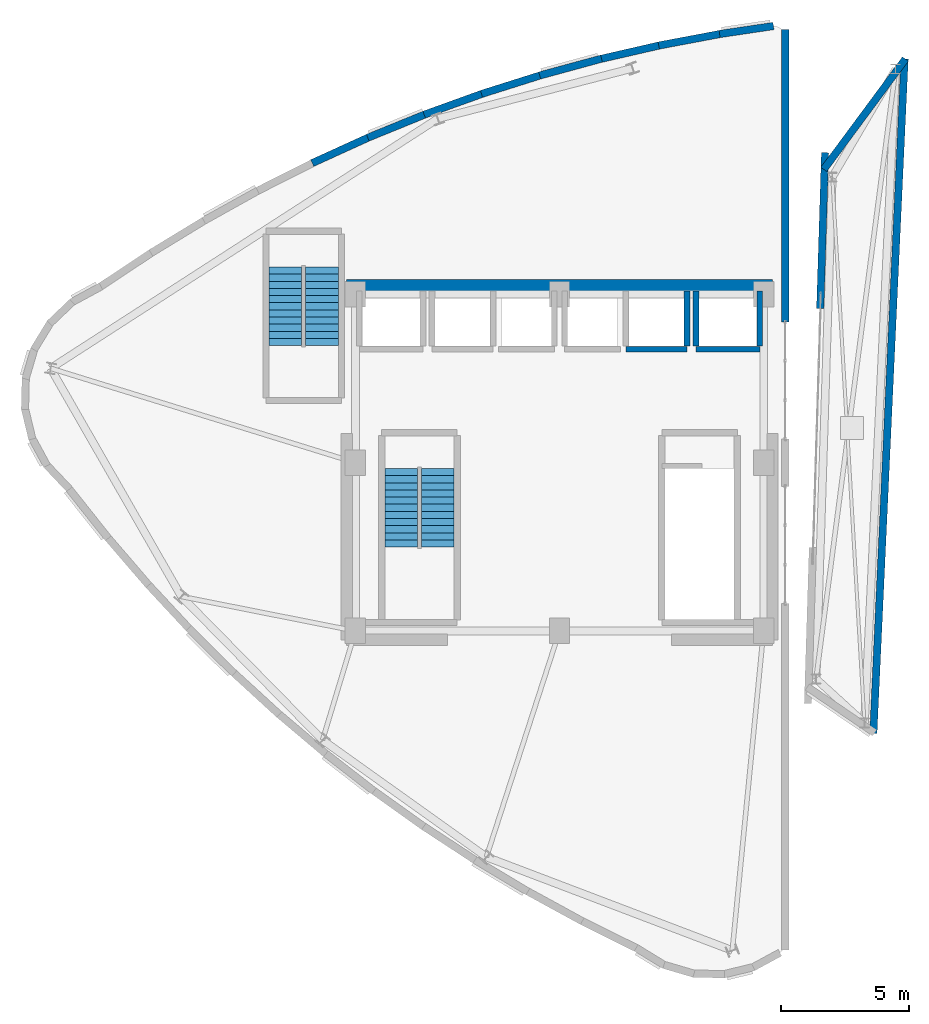
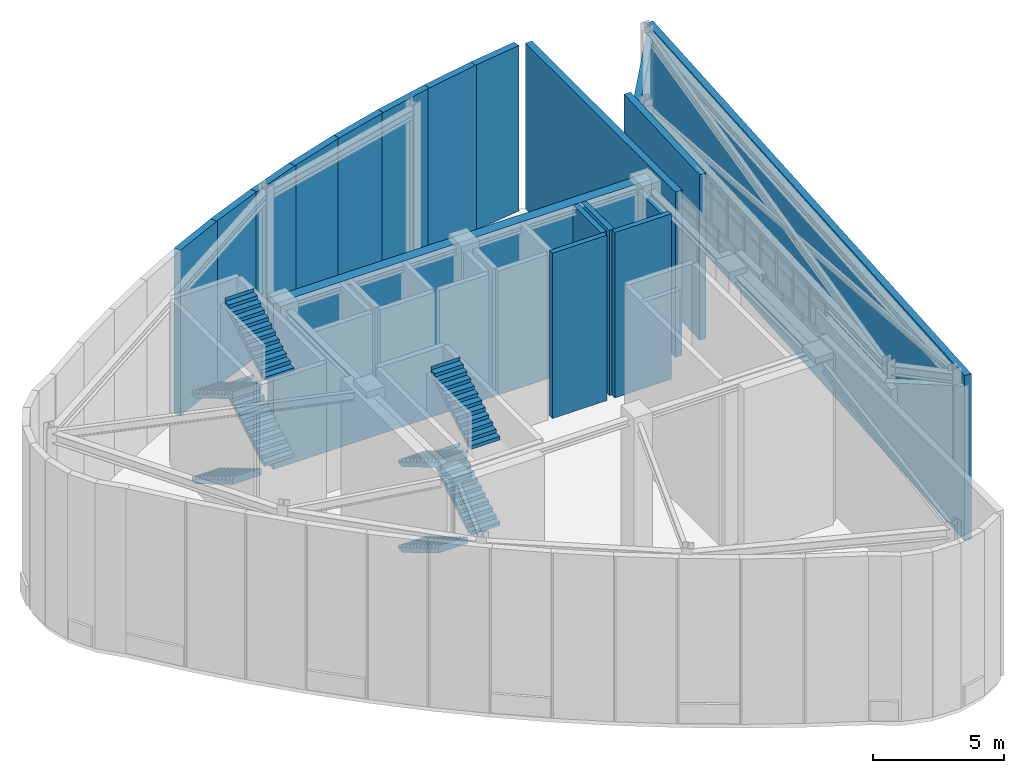
# One storey, part 11 of 12: 18 walls, 8 stair flights, 2 elements without a shape of their own.
"""IFC4 building model written with IfcOpenShell, lengths in metres."""

from ifc_helpers import new_model, si_unit, direction, frame, frame_2d, origin, place, context, subcontext, project, spatial, polyline, rectangle, outline, extrude, material, layer, layer_set, type_object, element, aggregate, save


model = new_model("IFC4")

# Units and contexts
model_context = context("Model", 3, precision=1e-05, world=origin(), true_north=direction((0.0, 1.0)))
body_context = subcontext(model_context, "Body", "Model", "MODEL_VIEW")
ifc_project = project(units=[si_unit("LENGTHUNIT", "METRE"), si_unit("AREAUNIT", "SQUARE_METRE"), si_unit("VOLUMEUNIT", "CUBIC_METRE"), si_unit("PLANEANGLEUNIT", "RADIAN"), si_unit("MASSUNIT", "GRAM", prefix="KILO")], contexts=[model_context])

# Site, building, storey
site_placement = place(None, origin())
site = spatial("IfcSite", under=ifc_project, at=site_placement, CompositionType="ELEMENT")
building_placement = place(site_placement, origin())
building = spatial("IfcBuilding", under=site, at=building_placement, Name="Ndelora Gate Hotel", CompositionType="ELEMENT")
storey_placement = place(building_placement, frame((0.0, 0.0, 303.60009765625)))
storey = spatial("IfcBuildingStorey", under=building, at=storey_placement, Name="RF1", CompositionType="ELEMENT", Elevation=303.60009765625)

# Walls
ifc_material_1 = material(Name="Concrete C50/60", Category="concrete")
ifc_layer_1 = layer(ifc_material_1, 0.449951171875)
ifc_layer_set_1 = layer_set([ifc_layer_1], Name="Concrete C50/60")
wall_type_1 = type_object("IfcWallType", Name="WL-CORE-450", PredefinedType="SHEAR", material=ifc_layer_set_1)
wall_1_placement = place(storey_placement, frame((-8.35009765625, 6.949951171875, 0.0), z_axis=(0.0, 0.0, 1.0), x_axis=(1.0, 0.0, 0.0)))
element("IfcWall", 1, at=wall_1_placement, inside=storey, type_object=wall_type_1, Name="RF1 Core Shear Wall N", PredefinedType="SHEAR", context=body_context, shape_type="SweptSolid", body=[
    extrude(rectangle(XDim=16.7001953125, YDim=0.449951171875, at=frame_2d((8.35009765625, 0.0))), origin(), (0.0, 0.0, 1.0), 7.719970703125),
])
ifc_material_2 = material(Name="Precast concrete C40/50", Category="concrete")
ifc_layer_2 = layer(ifc_material_2, 0.2900390625)
ifc_layer_set_2 = layer_set([ifc_layer_2], Name="Precast concrete C40/50")
wall_type_2 = type_object("IfcWallType", Name="WL-PARA-290", PredefinedType="PARAPET", material=ifc_layer_set_2)
wall_2_placement = place(storey_placement, frame((8.85009765625, 16.986572265625, 0.0), z_axis=(0.0, 0.0, 1.0), x_axis=(0.0, -1.0, 0.0)))
element("IfcWall", 2, at=wall_2_placement, inside=storey, type_object=wall_type_2, Name="RF1 West Crown Canyon Brick Pier 3", PredefinedType="PARAPET", context=body_context, shape_type="SweptSolid", body=[
    extrude(rectangle(XDim=11.466552734375, YDim=0.2900390625, at=frame_2d((5.7333984375, 0.0))), origin(), (0.0, 0.0, 1.0), 7.719970703125),
])
wall_3_placement = place(storey_placement, frame((10.220703125, 6.041015625, 0.0), z_axis=(0.0, 0.0, 1.0), x_axis=(0.031147484759, 0.999514799387, 0.0)))
element("IfcWall", 3, at=wall_3_placement, inside=storey, type_object=wall_type_2, Name="RF1 East Crown Canyon Brick Pier 2", PredefinedType="PARAPET", context=body_context, shape_type="SweptSolid", body=[
    extrude(rectangle(XDim=6.11376953125, YDim=0.2900390625, at=frame_2d((3.056884765625, 0.0))), origin(), (0.0, 0.0, 1.0), 7.719970703125),
])
wall_4_placement = place(storey_placement, frame((6.27734375, 16.80419921875, 0.0), z_axis=(0.0, 0.0, 1.0), x_axis=(0.989170885367, 0.146768387409, 0.0)))
element("IfcWall", 4, at=wall_4_placement, inside=storey, type_object=wall_type_2, Name="RF1 Crown Enclosure Parapet Wall WPK-52", PredefinedType="PARAPET", context=body_context, shape_type="SweptSolid", body=[
    extrude(rectangle(XDim=2.13427734375, YDim=0.2900390625, at=frame_2d((1.067138671875, 0.0))), origin(), (0.0, 0.0, 1.0), 7.719970703125),
])
wall_5_placement = place(storey_placement, frame((3.890869140625, 16.352294921875, 0.0), z_axis=(0.0, 0.0, 1.0), x_axis=(0.982698658406, 0.185211626978, 0.0)))
element("IfcWall", 5, at=wall_5_placement, inside=storey, type_object=wall_type_2, Name="RF1 Crown Enclosure Parapet Wall WPK-53", PredefinedType="PARAPET", context=body_context, shape_type="SweptSolid", body=[
    extrude(rectangle(XDim=2.538818359375, YDim=0.2900390625, at=frame_2d((1.26953125, 0.0))), origin(), (0.0, 0.0, 1.0), 7.719970703125),
])
wall_6_placement = place(storey_placement, frame((1.539306640625, 15.810302734375, 0.0), z_axis=(0.0, 0.0, 1.0), x_axis=(0.974635230038, 0.223799393138, 0.0)))
element("IfcWall", 6, at=wall_6_placement, inside=storey, type_object=wall_type_2, Name="RF1 Crown Enclosure Parapet Wall WPK-54", PredefinedType="PARAPET", context=body_context, shape_type="SweptSolid", body=[
    extrude(rectangle(XDim=2.523193359375, YDim=0.2900390625, at=frame_2d((1.26171875, 0.0))), origin(), (0.0, 0.0, 1.0), 7.719970703125),
])
wall_7_placement = place(storey_placement, frame((-0.777099609375, 15.177734375, 0.0), z_axis=(0.0, 0.0, 1.0), x_axis=(0.964907263861, 0.262590883596, 0.0)))
element("IfcWall", 7, at=wall_7_placement, inside=storey, type_object=wall_type_2, Name="RF1 Crown Enclosure Parapet Wall WPK-55", PredefinedType="PARAPET", context=body_context, shape_type="SweptSolid", body=[
    extrude(rectangle(XDim=2.51123046875, YDim=0.2900390625, at=frame_2d((1.255615234375, 0.0))), origin(), (0.0, 0.0, 1.0), 7.719970703125),
])
wall_8_placement = place(storey_placement, frame((-3.05859375, 14.454833984375, 0.0), z_axis=(0.0, 0.0, 1.0), x_axis=(0.953576769374, 0.301150037209, 0.0)))
element("IfcWall", 8, at=wall_8_placement, inside=storey, type_object=wall_type_2, Name="RF1 Crown Enclosure Parapet Wall WPK-56", PredefinedType="PARAPET", context=body_context, shape_type="SweptSolid", body=[
    extrude(rectangle(XDim=2.50341796875, YDim=0.2900390625, at=frame_2d((1.251708984375, 0.0))), origin(), (0.0, 0.0, 1.0), 7.719970703125),
])
for number, where, z_axis, x_axis, name in (
    (9, (-5.30517578125, 13.6416015625, 0.0), (0.0, 0.0, 1.0), (0.940589433812, 0.33954604548, 0.0), "RF1 Crown Enclosure Parapet Wall WPK-57"),
    (10, (-7.51708984375, 12.73779296875, 0.0), (0.0, 0.0, 1.0), (0.926065809797, 0.377362048866, 0.0), "RF1 Crown Enclosure Parapet Wall WPK-58"),
):
    element("IfcWall", number, at=place(storey_placement, frame(where, z_axis=z_axis, x_axis=x_axis)), inside=storey, type_object=wall_type_2, Name=name, PredefinedType="PARAPET", context=body_context, shape_type="SweptSolid", body=[
        extrude(rectangle(XDim=2.499267578125, YDim=0.2900390625, at=frame_2d((1.24951171875, 0.0))), origin(), (0.0, 0.0, 1.0), 7.719970703125),
    ])
wall_9_placement = place(storey_placement, frame((-9.694091796875, 11.743896484375, 0.0), z_axis=(0.0, 0.0, 1.0), x_axis=(0.910048904543, 0.414500894257, 0.0)))
element("IfcWall", 11, at=wall_9_placement, inside=storey, type_object=wall_type_2, Name="RF1 Crown Enclosure Parapet Wall WPK-59", PredefinedType="PARAPET", context=body_context, shape_type="SweptSolid", body=[
    extrude(rectangle(XDim=2.503173828125, YDim=0.2900390625, at=frame_2d((1.25146484375, 0.0))), origin(), (0.0, 0.0, 1.0), 7.719970703125),
])
wall_10_placement = place(storey_placement, frame((13.529541015625, 15.833251953125, 0.0), z_axis=(0.0, 0.0, 1.0), x_axis=(-0.046267121777, -0.998929103311, 0.0)))
element("IfcWall", 12, at=wall_10_placement, inside=storey, type_object=wall_type_2, Name="RF1 Crown Enclosure Parapet Wall EPK-2", PredefinedType="PARAPET", context=body_context, shape_type="SweptSolid", body=[
    extrude(rectangle(XDim=26.478759765625, YDim=0.2900390625, at=frame_2d((13.2392578125, 0.0))), origin(), (0.0, 0.0, 1.0), 7.719970703125),
])
wall_11_placement = place(storey_placement, frame((10.359375, 11.49658203125, 0.0), z_axis=(0.0, 0.0, 1.0), x_axis=(0.594753293949, 0.803908277938, 0.0)))
element("IfcWall", 13, at=wall_11_placement, inside=storey, type_object=wall_type_2, Name="RF1 Crown Enclosure Parapet Wall EPK-3", PredefinedType="PARAPET", context=body_context, shape_type="SweptSolid", body=[
    extrude(rectangle(XDim=5.381103515625, YDim=0.2900390625, at=frame_2d((2.6904296875, 0.0))), origin(), (0.0, 0.0, 1.0), 7.25),
])
ifc_material_3 = material(Name="Concrete C40/50", Category="concrete")
ifc_layer_3 = layer(ifc_material_3, 0.219970703125)
ifc_layer_set_3 = layer_set([ifc_layer_3], Name="Concrete C40/50")
wall_type_3 = type_object("IfcWallType", Name="WL-SHAFT-220", PredefinedType="PARTITIONING", material=ifc_layer_set_3)
wall_12_placement = place(storey_placement, frame((5.35009765625, 4.449951171875, 0.0), z_axis=(0.0, 0.0, 1.0), x_axis=(1.0, 0.0, 0.0)))
element("IfcWall", 14, at=wall_12_placement, inside=storey, type_object=wall_type_3, Name="RF1 Interior Wall IW-1", PredefinedType="PARTITIONING", context=body_context, shape_type="SweptSolid", body=[
    extrude(rectangle(XDim=2.5, YDim=0.219970703125, at=frame_2d((1.25, 0.0))), origin(), (0.0, 0.0, 1.0), 7.719970703125),
])
wall_13_placement = place(storey_placement, frame((5.35009765625, 4.570068359375, 0.0), z_axis=(0.0, 0.0, 1.0), x_axis=(0.0, 1.0, 0.0)))
element("IfcWall", 15, at=wall_13_placement, inside=storey, type_object=wall_type_3, Name="RF1 Interior Wall IW-1", PredefinedType="PARTITIONING", context=body_context, shape_type="SweptSolid", body=[
    extrude(rectangle(XDim=2.155029296875, YDim=0.219970703125, at=frame_2d((1.07763671875, 0.0))), origin(), (0.0, 0.0, 1.0), 7.719970703125),
])
wall_14_placement = place(storey_placement, frame((7.85009765625, 4.570068359375, 0.0), z_axis=(0.0, 0.0, 1.0), x_axis=(0.0, 1.0, 0.0)))
element("IfcWall", 16, at=wall_14_placement, inside=storey, type_object=wall_type_3, Name="RF1 Interior Wall IW-1", PredefinedType="PARTITIONING", context=body_context, shape_type="SweptSolid", body=[
    extrude(rectangle(XDim=2.155029296875, YDim=0.219970703125, at=frame_2d((1.07763671875, 0.0))), origin(), (0.0, 0.0, 1.0), 7.39990234375),
])
wall_15_placement = place(storey_placement, frame((2.60009765625, 4.449951171875, 0.0), z_axis=(0.0, 0.0, 1.0), x_axis=(1.0, 0.0, 0.0)))
element("IfcWall", 17, at=wall_15_placement, inside=storey, type_object=wall_type_3, Name="RF1 Interior Wall IW-1", PredefinedType="PARTITIONING", context=body_context, shape_type="SweptSolid", body=[
    extrude(rectangle(XDim=2.39990234375, YDim=0.219970703125, at=frame_2d((1.199951171875, 0.0))), origin(), (0.0, 0.0, 1.0), 7.719970703125),
])
wall_16_placement = place(storey_placement, frame((5.0, 4.570068359375, 0.0), z_axis=(0.0, 0.0, 1.0), x_axis=(0.0, 1.0, 0.0)))
element("IfcWall", 18, at=wall_16_placement, inside=storey, type_object=wall_type_3, Name="RF1 Interior Wall IW-1", PredefinedType="PARTITIONING", context=body_context, shape_type="SweptSolid", body=[
    extrude(rectangle(XDim=2.155029296875, YDim=0.219970703125, at=frame_2d((1.07763671875, 0.0))), origin(), (0.0, 0.0, 1.0), 7.719970703125),
])

# Stair, stair flights
stair_type = type_object("IfcStairType", Name="STR-DOG-CORE", PredefinedType="HALF_TURN_STAIR", material=ifc_material_2)
stair_1_placement = place(storey_placement, origin())
stair_1 = element("IfcStair", 19, at=stair_1_placement, inside=storey, type_object=stair_type, Name="RF1 Protected Core Exit Stair ST4", PredefinedType="HALF_TURN_STAIR")
stair_flight_type = type_object("IfcStairFlightType", Name="STF-PRECAST", PredefinedType="STRAIGHT", material=ifc_material_2)
stair_flight_1_placement = place(storey_placement, frame((-6.2099609375, -0.22998046875, 0.0), z_axis=(0.0, 0.0, 1.0), x_axis=(0.0, -1.0, 0.0)))
stair_flight_1 = element("IfcStairFlight", 20, at=stair_flight_1_placement, type_object=stair_flight_type, Name="ST4 flight 1", NumberOfRisers=12, NumberOfTreads=11, PredefinedType="STRAIGHT", RiserHeight=0.166666667, TreadLength=0.28, context=body_context, shape_type="SweptSolid", body=[
    extrude(outline(polyline([(-0.00048828125, 0.0), (-0.00048828125, 0.166748046875), (0.0, 0.166748046875), (0.280029296875, 0.166748046875), (0.280029296875, 0.333251953125), (0.56005859375, 0.333251953125), (0.56005859375, 0.5), (0.840087890625, 0.5), (0.840087890625, 0.666748046875), (1.1201171875, 0.666748046875), (1.1201171875, 0.833251953125), (1.39990234375, 0.833251953125), (1.39990234375, 1.0), (1.679931640625, 1.0), (1.679931640625, 1.166748046875), (1.9599609375, 1.166748046875), (1.9599609375, 1.333251953125), (2.239990234375, 1.333251953125), (2.239990234375, 1.5), (2.52001953125, 1.5), (2.52001953125, 1.666748046875), (2.800048828125, 1.666748046875), (2.800048828125, 1.833251953125), (3.080078125, 1.833251953125), (3.080078125, 2.0), (3.08056640625, 2.0), (3.08056640625, 1.820068359375), (3.080078125, 1.658935546875), (0.29296875, 0.0), (-0.00048828125, 0.0)])), frame((0.0, 0.64013671875, 0.0), z_axis=(0.0, -1.0, 0.0), x_axis=(1.0, 0.0, 0.0)), (0.0, 0.0, 1.0), 1.280029296875),
])
stair_flight_2_placement = place(storey_placement, frame((-4.77001953125, -3.31005859375, 2.0), z_axis=(0.0, 0.0, 1.0), x_axis=(0.0, 1.0, 0.0)))
stair_flight_2 = element("IfcStairFlight", 21, at=stair_flight_2_placement, type_object=stair_flight_type, Name="ST4 flight 2", NumberOfRisers=12, NumberOfTreads=11, PredefinedType="STRAIGHT", RiserHeight=0.166666667, TreadLength=0.28, context=body_context, shape_type="SweptSolid", body=[
    extrude(outline(polyline([(-0.00048828125, 0.0), (-0.00048828125, 0.166748046875), (0.0, 0.166748046875), (0.280029296875, 0.166748046875), (0.280029296875, 0.333251953125), (0.56005859375, 0.333251953125), (0.56005859375, 0.5), (0.840087890625, 0.5), (0.840087890625, 0.666748046875), (1.1201171875, 0.666748046875), (1.1201171875, 0.833251953125), (1.39990234375, 0.833251953125), (1.39990234375, 1.0), (1.679931640625, 1.0), (1.679931640625, 1.166748046875), (1.9599609375, 1.166748046875), (1.9599609375, 1.333251953125), (2.239990234375, 1.333251953125), (2.239990234375, 1.5), (2.52001953125, 1.5), (2.52001953125, 1.666748046875), (2.800048828125, 1.666748046875), (2.800048828125, 1.833251953125), (3.080078125, 1.833251953125), (3.080078125, 2.0), (3.08056640625, 2.0), (3.08056640625, 1.820068359375), (3.080078125, 1.658935546875), (0.29296875, 0.0), (-0.00048828125, 0.0)])), frame((0.0, 0.64013671875, 0.0), z_axis=(0.0, -1.0, 0.0), x_axis=(1.0, 0.0, 0.0)), (0.0, 0.0, 1.0), 1.280029296875),
])
stair_flight_3_placement = place(storey_placement, frame((-6.2099609375, -0.22998046875, 4.0), z_axis=(0.0, 0.0, 1.0), x_axis=(0.0, -1.0, 0.0)))
stair_flight_3 = element("IfcStairFlight", 22, at=stair_flight_3_placement, type_object=stair_flight_type, Name="ST4 flight 3", NumberOfRisers=12, NumberOfTreads=11, PredefinedType="STRAIGHT", RiserHeight=0.166666667, TreadLength=0.28, context=body_context, shape_type="SweptSolid", body=[
    extrude(outline(polyline([(-0.00048828125, 0.0), (-0.00048828125, 0.166748046875), (0.0, 0.166748046875), (0.280029296875, 0.166748046875), (0.280029296875, 0.333251953125), (0.56005859375, 0.333251953125), (0.56005859375, 0.5), (0.840087890625, 0.5), (0.840087890625, 0.666748046875), (1.1201171875, 0.666748046875), (1.1201171875, 0.833251953125), (1.39990234375, 0.833251953125), (1.39990234375, 1.0), (1.679931640625, 1.0), (1.679931640625, 1.166748046875), (1.9599609375, 1.166748046875), (1.9599609375, 1.333251953125), (2.239990234375, 1.333251953125), (2.239990234375, 1.5), (2.52001953125, 1.5), (2.52001953125, 1.666748046875), (2.800048828125, 1.666748046875), (2.800048828125, 1.833251953125), (3.080078125, 1.833251953125), (3.080078125, 2.0), (3.08056640625, 2.0), (3.08056640625, 1.820068359375), (3.080078125, 1.658935546875), (0.29296875, 0.0), (-0.00048828125, 0.0)])), frame((0.0, 0.64013671875, 0.0), z_axis=(0.0, -1.0, 0.0), x_axis=(1.0, 0.0, 0.0)), (0.0, 0.0, 1.0), 1.280029296875),
])
stair_flight_4_placement = place(storey_placement, frame((-4.77001953125, -3.31005859375, 6.0), z_axis=(0.0, 0.0, 1.0), x_axis=(0.0, 1.0, 0.0)))
stair_flight_4 = element("IfcStairFlight", 23, at=stair_flight_4_placement, type_object=stair_flight_type, Name="ST4 flight 4", NumberOfRisers=12, NumberOfTreads=11, PredefinedType="STRAIGHT", RiserHeight=0.166666667, TreadLength=0.28, context=body_context, shape_type="SweptSolid", body=[
    extrude(outline(polyline([(-0.00048828125, 0.0), (-0.00048828125, 0.166748046875), (0.0, 0.166748046875), (0.280029296875, 0.166748046875), (0.280029296875, 0.333251953125), (0.56005859375, 0.333251953125), (0.56005859375, 0.5), (0.840087890625, 0.5), (0.840087890625, 0.666748046875), (1.1201171875, 0.666748046875), (1.1201171875, 0.833251953125), (1.39990234375, 0.833251953125), (1.39990234375, 1.0), (1.679931640625, 1.0), (1.679931640625, 1.166748046875), (1.9599609375, 1.166748046875), (1.9599609375, 1.333251953125), (2.239990234375, 1.333251953125), (2.239990234375, 1.5), (2.52001953125, 1.5), (2.52001953125, 1.666748046875), (2.800048828125, 1.666748046875), (2.800048828125, 1.833251953125), (3.080078125, 1.833251953125), (3.080078125, 2.0), (3.08056640625, 2.0), (3.08056640625, 1.820068359375), (3.080078125, 1.658935546875), (0.29296875, 0.0), (-0.00048828125, 0.0)])), frame((0.0, 0.64013671875, 0.0), z_axis=(0.0, -1.0, 0.0), x_axis=(1.0, 0.0, 0.0)), (0.0, 0.0, 1.0), 1.280029296875),
])
aggregate(stair_1, [stair_flight_1, stair_flight_2, stair_flight_3, stair_flight_4])

stair_2_placement = place(storey_placement, origin())
stair_2 = element("IfcStair", 24, at=stair_2_placement, inside=storey, type_object=stair_type, Name="RF1 Crown Observation Exit Stair ST6", PredefinedType="HALF_TURN_STAIR")
stair_flight_5_placement = place(storey_placement, frame((-10.75, 7.669921875, 0.0), z_axis=(0.0, 0.0, 1.0), x_axis=(0.0, -1.0, 0.0)))
stair_flight_5 = element("IfcStairFlight", 25, at=stair_flight_5_placement, type_object=stair_flight_type, Name="ST6 flight 1", NumberOfRisers=12, NumberOfTreads=11, PredefinedType="STRAIGHT", RiserHeight=0.166666667, TreadLength=0.28, context=body_context, shape_type="SweptSolid", body=[
    extrude(outline(polyline([(-0.00048828125, 0.0), (-0.00048828125, 0.166748046875), (0.0, 0.166748046875), (0.280029296875, 0.166748046875), (0.280029296875, 0.333251953125), (0.56005859375, 0.333251953125), (0.56005859375, 0.5), (0.840087890625, 0.5), (0.840087890625, 0.666748046875), (1.1201171875, 0.666748046875), (1.1201171875, 0.833251953125), (1.39990234375, 0.833251953125), (1.39990234375, 1.0), (1.679931640625, 1.0), (1.679931640625, 1.166748046875), (1.9599609375, 1.166748046875), (1.9599609375, 1.333251953125), (2.239990234375, 1.333251953125), (2.239990234375, 1.5), (2.52001953125, 1.5), (2.52001953125, 1.666748046875), (2.800048828125, 1.666748046875), (2.800048828125, 1.833251953125), (3.080078125, 1.833251953125), (3.080078125, 2.0), (3.08056640625, 2.0), (3.08056640625, 1.820068359375), (3.080078125, 1.658935546875), (0.29296875, 0.0), (-0.00048828125, 0.0)])), frame((0.0, 0.64013671875, 0.0), z_axis=(0.0, -1.0, 0.0), x_axis=(1.0, 0.0, 0.0)), (0.0, 0.0, 1.0), 1.280029296875),
])
stair_flight_6_placement = place(storey_placement, frame((-9.31005859375, 4.590087890625, 2.0), z_axis=(0.0, 0.0, 1.0), x_axis=(0.0, 1.0, 0.0)))
stair_flight_6 = element("IfcStairFlight", 26, at=stair_flight_6_placement, type_object=stair_flight_type, Name="ST6 flight 2", NumberOfRisers=12, NumberOfTreads=11, PredefinedType="STRAIGHT", RiserHeight=0.166666667, TreadLength=0.28, context=body_context, shape_type="SweptSolid", body=[
    extrude(outline(polyline([(-0.00048828125, 0.0), (-0.00048828125, 0.166748046875), (0.0, 0.166748046875), (0.280029296875, 0.166748046875), (0.280029296875, 0.333251953125), (0.56005859375, 0.333251953125), (0.56005859375, 0.5), (0.840087890625, 0.5), (0.840087890625, 0.666748046875), (1.1201171875, 0.666748046875), (1.1201171875, 0.833251953125), (1.39990234375, 0.833251953125), (1.39990234375, 1.0), (1.679931640625, 1.0), (1.679931640625, 1.166748046875), (1.9599609375, 1.166748046875), (1.9599609375, 1.333251953125), (2.239990234375, 1.333251953125), (2.239990234375, 1.5), (2.52001953125, 1.5), (2.52001953125, 1.666748046875), (2.800048828125, 1.666748046875), (2.800048828125, 1.833251953125), (3.080078125, 1.833251953125), (3.080078125, 2.0), (3.08056640625, 2.0), (3.08056640625, 1.820068359375), (3.080078125, 1.658935546875), (0.29296875, 0.0), (-0.00048828125, 0.0)])), frame((0.0, 0.64013671875, 0.0), z_axis=(0.0, -1.0, 0.0), x_axis=(1.0, 0.0, 0.0)), (0.0, 0.0, 1.0), 1.280029296875),
])
stair_flight_7_placement = place(storey_placement, frame((-10.75, 7.669921875, 4.0), z_axis=(0.0, 0.0, 1.0), x_axis=(0.0, -1.0, 0.0)))
stair_flight_7 = element("IfcStairFlight", 27, at=stair_flight_7_placement, type_object=stair_flight_type, Name="ST6 flight 3", NumberOfRisers=12, NumberOfTreads=11, PredefinedType="STRAIGHT", RiserHeight=0.166666667, TreadLength=0.28, context=body_context, shape_type="SweptSolid", body=[
    extrude(outline(polyline([(-0.00048828125, 0.0), (-0.00048828125, 0.166748046875), (0.0, 0.166748046875), (0.280029296875, 0.166748046875), (0.280029296875, 0.333251953125), (0.56005859375, 0.333251953125), (0.56005859375, 0.5), (0.840087890625, 0.5), (0.840087890625, 0.666748046875), (1.1201171875, 0.666748046875), (1.1201171875, 0.833251953125), (1.39990234375, 0.833251953125), (1.39990234375, 1.0), (1.679931640625, 1.0), (1.679931640625, 1.166748046875), (1.9599609375, 1.166748046875), (1.9599609375, 1.333251953125), (2.239990234375, 1.333251953125), (2.239990234375, 1.5), (2.52001953125, 1.5), (2.52001953125, 1.666748046875), (2.800048828125, 1.666748046875), (2.800048828125, 1.833251953125), (3.080078125, 1.833251953125), (3.080078125, 2.0), (3.08056640625, 2.0), (3.08056640625, 1.820068359375), (3.080078125, 1.658935546875), (0.29296875, 0.0), (-0.00048828125, 0.0)])), frame((0.0, 0.64013671875, 0.0), z_axis=(0.0, -1.0, 0.0), x_axis=(1.0, 0.0, 0.0)), (0.0, 0.0, 1.0), 1.280029296875),
])
stair_flight_8_placement = place(storey_placement, frame((-9.31005859375, 4.590087890625, 6.0), z_axis=(0.0, 0.0, 1.0), x_axis=(0.0, 1.0, 0.0)))
stair_flight_8 = element("IfcStairFlight", 28, at=stair_flight_8_placement, type_object=stair_flight_type, Name="ST6 flight 4", NumberOfRisers=12, NumberOfTreads=11, PredefinedType="STRAIGHT", RiserHeight=0.166666667, TreadLength=0.28, context=body_context, shape_type="SweptSolid", body=[
    extrude(outline(polyline([(-0.00048828125, 0.0), (-0.00048828125, 0.166748046875), (0.0, 0.166748046875), (0.280029296875, 0.166748046875), (0.280029296875, 0.333251953125), (0.56005859375, 0.333251953125), (0.56005859375, 0.5), (0.840087890625, 0.5), (0.840087890625, 0.666748046875), (1.1201171875, 0.666748046875), (1.1201171875, 0.833251953125), (1.39990234375, 0.833251953125), (1.39990234375, 1.0), (1.679931640625, 1.0), (1.679931640625, 1.166748046875), (1.9599609375, 1.166748046875), (1.9599609375, 1.333251953125), (2.239990234375, 1.333251953125), (2.239990234375, 1.5), (2.52001953125, 1.5), (2.52001953125, 1.666748046875), (2.800048828125, 1.666748046875), (2.800048828125, 1.833251953125), (3.080078125, 1.833251953125), (3.080078125, 2.0), (3.08056640625, 2.0), (3.08056640625, 1.820068359375), (3.080078125, 1.658935546875), (0.29296875, 0.0), (-0.00048828125, 0.0)])), frame((0.0, 0.64013671875, 0.0), z_axis=(0.0, -1.0, 0.0), x_axis=(1.0, 0.0, 0.0)), (0.0, 0.0, 1.0), 1.280029296875),
])
aggregate(stair_2, [stair_flight_5, stair_flight_6, stair_flight_7, stair_flight_8])

save(model, "model.ifc")
